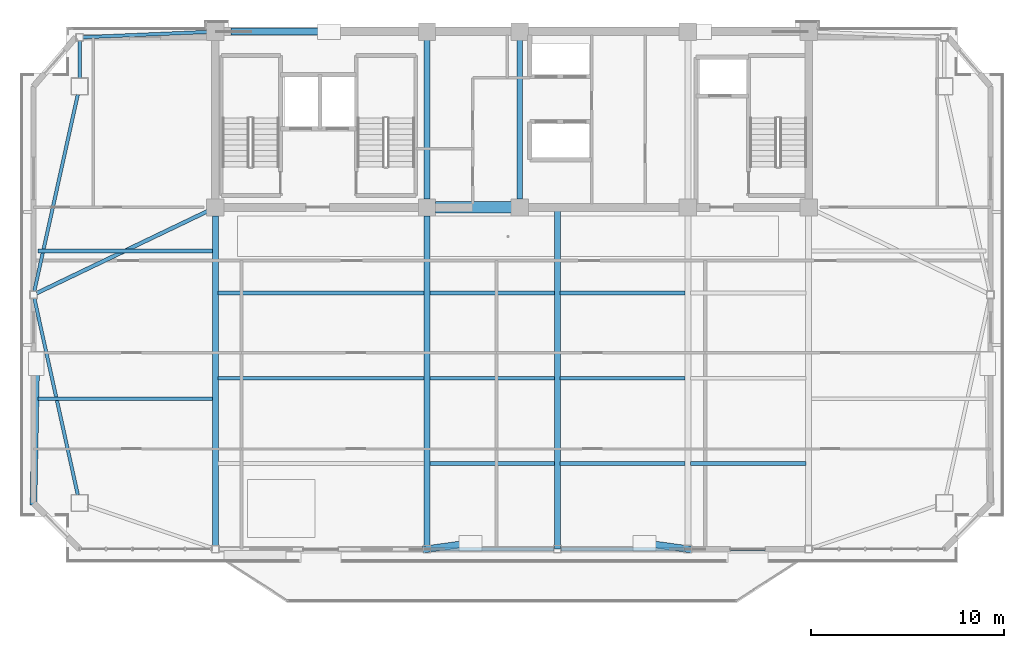
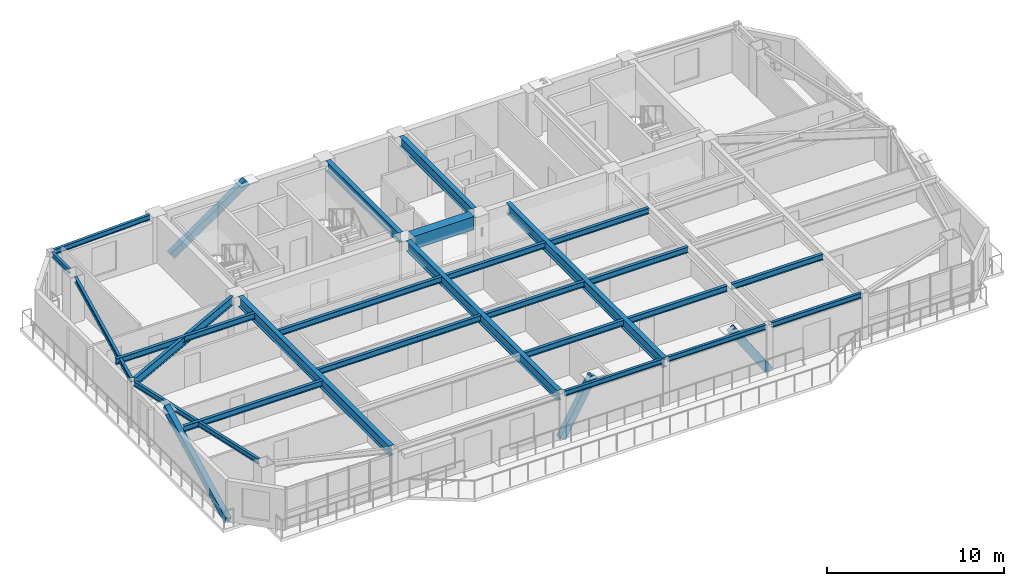
# One storey, part 3 of 13: 25 beams, 4 members.
"""IFC4 building model written with IfcOpenShell, lengths in metres."""

from ifc_helpers import new_model, si_unit, direction, frame, origin, origin_2d, place, context, subcontext, project, spatial, rectangle, hollow_rectangle, i_section, extrude, source, transform, mapped, material, material_profile, profile_set, type_object, element, save


model = new_model("IFC4")

# Units and contexts
model_context = context("Model", 3, precision=1e-05, world=origin(), true_north=direction((0.0, 1.0)))
body_context = subcontext(model_context, "Body", "Model", "MODEL_VIEW")
ifc_project = project(units=[si_unit("LENGTHUNIT", "METRE"), si_unit("AREAUNIT", "SQUARE_METRE"), si_unit("VOLUMEUNIT", "CUBIC_METRE"), si_unit("PLANEANGLEUNIT", "RADIAN"), si_unit("MASSUNIT", "GRAM", prefix="KILO")], contexts=[model_context])

# Site, building, storey
site_placement = place(None, origin())
site = spatial("IfcSite", under=ifc_project, at=site_placement, CompositionType="ELEMENT")
building_placement = place(site_placement, origin())
building = spatial("IfcBuilding", under=site, at=building_placement, Name="Giltprow Tower", CompositionType="ELEMENT")
storey_placement = place(building_placement, frame((0.0, 0.0, 304.0)))
storey = spatial("IfcBuildingStorey", under=building, at=storey_placement, Name="L78", CompositionType="ELEMENT", Elevation=304.0)

# Beams
ifc_material_1 = material(Name="Structural steel Q355B", Category="steel")
ifc_material_profile_1 = material_profile(ifc_material_1, i_section(OverallWidth=0.199951171875, OverallDepth=0.39990234375, WebThickness=0.008056640625, FlangeThickness=0.012939453125, at=origin_2d()), Name="HN 400x200x8x13")
ifc_profile_set_1 = profile_set([ifc_material_profile_1], Name="Structural steel Q355B")
beam_type_1 = type_object("IfcBeamType", Name="BM-JOIST-HN400", PredefinedType="JOIST", material=ifc_profile_set_1)
shared_shape_1 = source(origin(), body_context, "Body", "SweptSolid", [
    extrude(i_section(OverallWidth=0.199951171875, OverallDepth=0.39990234375, WebThickness=0.008056640625, FlangeThickness=0.012939453125, at=origin_2d()), origin(), (0.0, 0.0, 1.0), 10.659912109375),
])
for number, where, z_axis, x_axis, name in (
    (1, (19.9951171875, 28.611083984375, 2.985107421875), (1.0, 0.0, 0.0), (0.0, 1.0, 0.0), "L78 Composite Floor Joist 2-1"),
    (2, (19.9951171875, 33.031005859375, 2.985107421875), (1.0, 0.0, 0.0), (0.0, 1.0, 0.0), "L78 Composite Floor Joist 3-1"),
):
    element("IfcBeam", number, at=place(storey_placement, frame(where, z_axis=z_axis, x_axis=x_axis)), inside=storey, type_object=beam_type_1, Name=name, PredefinedType="JOIST", context=body_context, shape_type="MappedRepresentation", body=[
        mapped(shared_shape_1, transform((0.0, 0.0, 0.0), x_axis=(1.0, 0.0, 0.0), y_axis=(0.0, 1.0, 0.0), z_axis=(0.0, 0.0, 1.0), scale=1.0)),
    ])
shared_shape_2 = source(origin(), body_context, "Body", "SweptSolid", [
    extrude(i_section(OverallWidth=0.199951171875, OverallDepth=0.39990234375, WebThickness=0.008056640625, FlangeThickness=0.012939453125, at=origin_2d()), origin(), (0.0, 0.0, 1.0), 6.4599609375),
])
for number, where, z_axis, x_axis, name in (
    (3, (30.945068359375, 24.19091796875, 2.985107421875), (1.0, 0.0, 0.0), (0.0, 1.0, 0.0), "L78 Composite Floor Joist 1-2"),
    (4, (37.695068359375, 24.19091796875, 2.985107421875), (1.0, 0.0, 0.0), (0.0, 1.0, 0.0), "L78 Composite Floor Joist 1-3"),
    (5, (30.945068359375, 28.611083984375, 2.985107421875), (1.0, 0.0, 0.0), (0.0, 1.0, 0.0), "L78 Composite Floor Joist 2-2"),
    (6, (37.695068359375, 28.611083984375, 2.985107421875), (1.0, 0.0, 0.0), (0.0, 1.0, 0.0), "L78 Composite Floor Joist 2-3"),
    (7, (30.945068359375, 33.031005859375, 2.985107421875), (1.0, 0.0, 0.0), (0.0, 1.0, 0.0), "L78 Composite Floor Joist 3-2"),
    (8, (37.695068359375, 33.031005859375, 2.985107421875), (1.0, 0.0, 0.0), (0.0, 1.0, 0.0), "L78 Composite Floor Joist 3-3"),
):
    element("IfcBeam", number, at=place(storey_placement, frame(where, z_axis=z_axis, x_axis=x_axis)), inside=storey, type_object=beam_type_1, Name=name, PredefinedType="JOIST", context=body_context, shape_type="MappedRepresentation", body=[
        mapped(shared_shape_2, transform((0.0, 0.0, 0.0), x_axis=(1.0, 0.0, 0.0), y_axis=(0.0, 1.0, 0.0), z_axis=(0.0, 0.0, 1.0), scale=1.0)),
    ])
shared_shape_3 = source(origin(), body_context, "Body", "SweptSolid", [
    extrude(i_section(OverallWidth=0.199951171875, OverallDepth=0.39990234375, WebThickness=0.008056640625, FlangeThickness=0.012939453125, at=origin_2d()), origin(), (0.0, 0.0, 1.0), 5.9599609375),
])
beam_1_placement = place(storey_placement, frame((44.445068359375, 24.19091796875, 2.985107421875), z_axis=(1.0, 0.0, 0.0), x_axis=(0.0, 1.0, 0.0)))
element("IfcBeam", 9, at=beam_1_placement, inside=storey, type_object=beam_type_1, Name="L78 Composite Floor Joist 1-4", PredefinedType="JOIST", context=body_context, shape_type="MappedRepresentation", body=[
    mapped(shared_shape_3, transform((0.0, 0.0, 0.0), x_axis=(1.0, 0.0, 0.0), y_axis=(0.0, 1.0, 0.0), z_axis=(0.0, 0.0, 1.0), scale=1.0)),
])
ifc_material_2 = material(Name="Concrete C50", Category="concrete")
ifc_material_profile_2 = material_profile(ifc_material_2, rectangle(XDim=0.60009765625, YDim=0.89990234375, at=origin_2d()), Name="RC 900x600")
ifc_profile_set_2 = profile_set([ifc_material_profile_2], Name="Concrete C50")
beam_type_2 = type_object("IfcBeamType", Name="BM-CPL-RC900", PredefinedType="LINTEL", material=ifc_profile_set_2)
shared_shape_4 = source(origin(), body_context, "Body", "SweptSolid", [
    extrude(rectangle(XDim=0.60009765625, YDim=0.89990234375, at=origin_2d()), origin(), (0.0, 0.0, 1.0), 3.929931640625),
])
beam_2_placement = place(storey_placement, frame((31.235107421875, 37.449951171875, 2.735107421875), z_axis=(1.0, 0.0, 0.0), x_axis=(0.0, 1.0, 0.0)))
element("IfcBeam", 10, at=beam_2_placement, inside=storey, type_object=beam_type_2, Name="L78 Core Coupling Beam CB-1", PredefinedType="LINTEL", context=body_context, shape_type="MappedRepresentation", body=[
    mapped(shared_shape_4, transform((0.0, 0.0, 0.0), x_axis=(1.0, 0.0, 0.0), y_axis=(0.0, 1.0, 0.0), z_axis=(0.0, 0.0, 1.0), scale=1.0)),
])
ifc_material_profile_3 = material_profile(ifc_material_1, i_section(OverallWidth=0.300048828125, OverallDepth=0.699951171875, WebThickness=0.012939453125, FlangeThickness=0.02392578125, at=origin_2d()), Name="HN 700x300x13x24")
ifc_profile_set_3 = profile_set([ifc_material_profile_3], Name="Structural steel Q355B")
beam_type_3 = type_object("IfcBeamType", Name="BM-GIRD-HN700", PredefinedType="BEAM", material=ifc_profile_set_3)
shared_shape_5 = source(origin(), body_context, "Body", "SweptSolid", [
    extrude(i_section(OverallWidth=0.300048828125, OverallDepth=0.699951171875, WebThickness=0.012939453125, FlangeThickness=0.02392578125, at=origin_2d()), origin(), (0.0, 0.0, 1.0), 8.22998046875),
])
for number, where, z_axis, x_axis, name in (
    (11, (30.800048828125, 37.885009765625, 2.8349609375), (0.0, 1.0, 0.0), (-1.0, 0.0, 0.0), "L78 Core Tie Girder M1"),
    (12, (35.60009765625, 37.885009765625, 2.8349609375), (0.0, 1.0, 0.0), (-1.0, 0.0, 0.0), "L78 Core Tie Girder M2"),
):
    element("IfcBeam", number, at=place(storey_placement, frame(where, z_axis=z_axis, x_axis=x_axis)), inside=storey, type_object=beam_type_3, Name=name, PredefinedType="BEAM", context=body_context, shape_type="MappedRepresentation", body=[
        mapped(shared_shape_5, transform((0.0, 0.0, 0.0), x_axis=(1.0, 0.0, 0.0), y_axis=(0.0, 1.0, 0.0), z_axis=(0.0, 0.0, 1.0), scale=1.0)),
    ])
shared_shape_6 = source(origin(), body_context, "Body", "SweptSolid", [
    extrude(i_section(OverallWidth=0.300048828125, OverallDepth=0.699951171875, WebThickness=0.012939453125, FlangeThickness=0.02392578125, at=origin_2d()), origin(), (0.0, 0.0, 1.0), 17.677978515625),
])
beam_3_placement = place(storey_placement, frame((37.550048828125, 19.77197265625, 2.8349609375), z_axis=(0.0, 1.0, 0.0), x_axis=(-1.0, 0.0, 0.0)))
element("IfcBeam", 13, at=beam_3_placement, inside=storey, type_object=beam_type_3, Name="L78 Central Lease Girder SMID", PredefinedType="BEAM", context=body_context, shape_type="MappedRepresentation", body=[
    mapped(shared_shape_6, transform((0.0, 0.0, 0.0), x_axis=(1.0, 0.0, 0.0), y_axis=(0.0, 1.0, 0.0), z_axis=(0.0, 0.0, 1.0), scale=1.0)),
])
shared_shape_7 = source(origin(), body_context, "Body", "SweptSolid", [
    extrude(i_section(OverallWidth=0.199951171875, OverallDepth=0.39990234375, WebThickness=0.008056640625, FlangeThickness=0.012939453125, at=origin_2d()), origin(), (0.0, 0.0, 1.0), 9.045166015625),
])
for number, where, z_axis, x_axis, name in (
    (14, (10.659912109375, 27.547119140625, 2.985107421875), (1.0, 0.0, 0.0), (0.0, 1.0, 0.0), "L78 West Wing Floor Joist 1"),
    (15, (10.659912109375, 35.193115234375, 2.985107421875), (1.0, 0.0, 0.0), (0.0, 1.0, 0.0), "L78 West Wing Floor Joist 2"),
):
    element("IfcBeam", number, at=place(storey_placement, frame(where, z_axis=z_axis, x_axis=x_axis)), inside=storey, type_object=beam_type_1, Name=name, PredefinedType="JOIST", context=body_context, shape_type="MappedRepresentation", body=[
        mapped(shared_shape_7, transform((0.0, 0.0, 0.0), x_axis=(1.0, 0.0, 0.0), y_axis=(0.0, 1.0, 0.0), z_axis=(0.0, 0.0, 1.0), scale=1.0)),
    ])
ifc_material_profile_4 = material_profile(ifc_material_1, i_section(OverallWidth=0.175048828125, OverallDepth=0.35009765625, WebThickness=0.007080078125, FlangeThickness=0.010986328125, at=origin_2d()), Name="HN 350x175x7x11")
ifc_profile_set_4 = profile_set([ifc_material_profile_4], Name="Structural steel Q355B")
beam_type_4 = type_object("IfcBeamType", Name="BM-SPAN-HN350", PredefinedType="SPANDREL", material=ifc_profile_set_4)
shared_shape_8 = source(origin(), body_context, "Body", "SweptSolid", [
    extrude(i_section(OverallWidth=0.175048828125, OverallDepth=0.35009765625, WebThickness=0.007080078125, FlangeThickness=0.010986328125, at=origin_2d()), origin(), (0.0, 0.0, 1.0), 6.3798828125),
])
for number, where, z_axis, x_axis, name in (
    (16, (30.985107421875, 19.77197265625, 3.010009765625), (1.0, 0.0, 0.0), (0.0, 1.0, 0.0), "L78 Perimeter Spandrel Beam S2-S_MID"),
    (17, (37.735107421875, 19.77197265625, 3.010009765625), (1.0, 0.0, 0.0), (0.0, 1.0, 0.0), "L78 Perimeter Spandrel Beam S_MID-S3"),
):
    element("IfcBeam", number, at=place(storey_placement, frame(where, z_axis=z_axis, x_axis=x_axis)), inside=storey, type_object=beam_type_4, Name=name, PredefinedType="SPANDREL", context=body_context, shape_type="MappedRepresentation", body=[
        mapped(shared_shape_8, transform((0.0, 0.0, 0.0), x_axis=(1.0, 0.0, 0.0), y_axis=(0.0, 1.0, 0.0), z_axis=(0.0, 0.0, 1.0), scale=1.0)),
    ])
shared_shape_9 = source(origin(), body_context, "Body", "SweptSolid", [
    extrude(i_section(OverallWidth=0.175048828125, OverallDepth=0.35009765625, WebThickness=0.007080078125, FlangeThickness=0.010986328125, at=origin_2d()), origin(), (0.0, 0.0, 1.0), 5.8798828125),
])
beam_4_placement = place(storey_placement, frame((44.485107421875, 19.77197265625, 3.010009765625), z_axis=(1.0, 0.0, 0.0), x_axis=(0.0, 1.0, 0.0)))
element("IfcBeam", 18, at=beam_4_placement, inside=storey, type_object=beam_type_4, Name="L78 Perimeter Spandrel Beam S3-S4", PredefinedType="SPANDREL", context=body_context, shape_type="MappedRepresentation", body=[
    mapped(shared_shape_9, transform((0.0, 0.0, 0.0), x_axis=(1.0, 0.0, 0.0), y_axis=(0.0, 1.0, 0.0), z_axis=(0.0, 0.0, 1.0), scale=1.0)),
])
shared_shape_10 = source(origin(), body_context, "Body", "SweptSolid", [
    extrude(i_section(OverallWidth=0.175048828125, OverallDepth=0.35009765625, WebThickness=0.007080078125, FlangeThickness=0.010986328125, at=origin_2d()), origin(), (0.0, 0.0, 1.0), 10.4189453125),
])
beam_5_placement = place(storey_placement, frame((10.47998046875, 32.7548828125, 3.010009765625), z_axis=(0.216047103841, -0.976382941741, 0.0), x_axis=(0.976382941741, 0.216047103841, 0.0)))
element("IfcBeam", 19, at=beam_5_placement, inside=storey, type_object=beam_type_4, Name="L78 Perimeter Spandrel Beam W_MID-MC_SW", PredefinedType="SPANDREL", context=body_context, shape_type="MappedRepresentation", body=[
    mapped(shared_shape_10, transform((0.0, 0.0, 0.0), x_axis=(1.0, 0.0, 0.0), y_axis=(0.0, 1.0, 0.0), z_axis=(0.0, 0.0, 1.0), scale=1.0)),
])
shared_shape_11 = source(origin(), body_context, "Body", "SweptSolid", [
    extrude(i_section(OverallWidth=0.175048828125, OverallDepth=0.35009765625, WebThickness=0.007080078125, FlangeThickness=0.010986328125, at=origin_2d()), origin(), (0.0, 0.0, 1.0), 10.419189453125),
])
beam_6_placement = place(storey_placement, frame((12.73095703125, 43.2900390625, 3.010009765625), z_axis=(-0.216042161002, -0.976384035444, 0.0), x_axis=(0.976384035444, -0.216042161002, 0.0)))
element("IfcBeam", 20, at=beam_6_placement, inside=storey, type_object=beam_type_4, Name="L78 Perimeter Spandrel Beam MC_NW-W_MID", PredefinedType="SPANDREL", context=body_context, shape_type="MappedRepresentation", body=[
    mapped(shared_shape_11, transform((0.0, 0.0, 0.0), x_axis=(1.0, 0.0, 0.0), y_axis=(0.0, 1.0, 0.0), z_axis=(0.0, 0.0, 1.0), scale=1.0)),
])
shared_shape_12 = source(origin(), body_context, "Body", "SweptSolid", [
    extrude(i_section(OverallWidth=0.175048828125, OverallDepth=0.35009765625, WebThickness=0.007080078125, FlangeThickness=0.010986328125, at=origin_2d()), origin(), (0.0, 0.0, 1.0), 1.9150390625),
])
beam_7_placement = place(storey_placement, frame((12.824951171875, 46.06494140625, 3.010009765625), z_axis=(0.0, -1.0, 0.0), x_axis=(1.0, 0.0, 0.0)))
element("IfcBeam", 21, at=beam_7_placement, inside=storey, type_object=beam_type_4, Name="L78 Perimeter Spandrel Beam N_W-MC_NW", PredefinedType="SPANDREL", context=body_context, shape_type="MappedRepresentation", body=[
    mapped(shared_shape_12, transform((0.0, 0.0, 0.0), x_axis=(1.0, 0.0, 0.0), y_axis=(0.0, 1.0, 0.0), z_axis=(0.0, 0.0, 1.0), scale=1.0)),
])
shared_shape_13 = source(origin(), body_context, "Body", "SweptSolid", [
    extrude(i_section(OverallWidth=0.175048828125, OverallDepth=0.35009765625, WebThickness=0.007080078125, FlangeThickness=0.010986328125, at=origin_2d()), origin(), (0.0, 0.0, 1.0), 6.410888671875),
])
beam_8_placement = place(storey_placement, frame((13.010009765625, 46.258056640625, 3.010009765625), z_axis=(0.999093223097, 0.042576185379, 0.0), x_axis=(-0.042576185379, 0.999093223097, 0.0)))
element("IfcBeam", 22, at=beam_8_placement, inside=storey, type_object=beam_type_4, Name="L78 North Wing Spandrel W", PredefinedType="SPANDREL", context=body_context, shape_type="MappedRepresentation", body=[
    mapped(shared_shape_13, transform((0.0, 0.0, 0.0), x_axis=(1.0, 0.0, 0.0), y_axis=(0.0, 1.0, 0.0), z_axis=(0.0, 0.0, 1.0), scale=1.0)),
])
shared_shape_14 = source(origin(), body_context, "Body", "SweptSolid", [
    extrude(i_section(OverallWidth=0.300048828125, OverallDepth=0.699951171875, WebThickness=0.012939453125, FlangeThickness=0.02392578125, at=origin_2d()), origin(), (0.0, 0.0, 1.0), 17.057861328125),
])
for number, where, z_axis, x_axis, name in (
    (23, (19.85009765625, 19.95703125, 2.8349609375), (0.0, 1.0, 0.0), (-1.0, 0.0, 0.0), "L78 Primary Lease Girder S1"),
    (24, (30.800048828125, 19.95703125, 2.8349609375), (0.0, 1.0, 0.0), (-1.0, 0.0, 0.0), "L78 Primary Lease Girder S2"),
):
    element("IfcBeam", number, at=place(storey_placement, frame(where, z_axis=z_axis, x_axis=x_axis)), inside=storey, type_object=beam_type_3, Name=name, PredefinedType="BEAM", context=body_context, shape_type="MappedRepresentation", body=[
        mapped(shared_shape_14, transform((0.0, 0.0, 0.0), x_axis=(1.0, 0.0, 0.0), y_axis=(0.0, 1.0, 0.0), z_axis=(0.0, 0.0, 1.0), scale=1.0)),
    ])
ifc_material_profile_5 = material_profile(ifc_material_1, i_section(OverallWidth=0.199951171875, OverallDepth=0.60009765625, WebThickness=0.010986328125, FlangeThickness=0.01708984375, at=origin_2d()), Name="HN 600x200x11x17")
ifc_profile_set_5 = profile_set([ifc_material_profile_5], Name="Structural steel Q355B")
beam_type_5 = type_object("IfcBeamType", Name="BM-GIRD-HN600", PredefinedType="BEAM", material=ifc_profile_set_5)
shared_shape_15 = source(origin(), body_context, "Body", "SweptSolid", [
    extrude(i_section(OverallWidth=0.199951171875, OverallDepth=0.60009765625, WebThickness=0.010986328125, FlangeThickness=0.01708984375, at=origin_2d()), origin(), (0.0, 0.0, 1.0), 9.816650390625),
])
beam_9_placement = place(storey_placement, frame((10.60693359375, 33.01611328125, 2.885009765625), z_axis=(0.901628977648, 0.432510331281, 0.0), x_axis=(-0.432510331281, 0.901628977648, 0.0)))
element("IfcBeam", 25, at=beam_9_placement, inside=storey, type_object=beam_type_5, Name="L78 West Wing Primary Girder", PredefinedType="BEAM", context=body_context, shape_type="MappedRepresentation", body=[
    mapped(shared_shape_15, transform((0.0, 0.0, 0.0), x_axis=(1.0, 0.0, 0.0), y_axis=(0.0, 1.0, 0.0), z_axis=(0.0, 0.0, 1.0), scale=1.0)),
])

# Members
ifc_material_3 = material(Name="Structural steel Q420GJC", Category="steel")
ifc_material_profile_6 = material_profile(ifc_material_3, hollow_rectangle(XDim=0.35009765625, YDim=0.5, WallThickness=0.02392578125, at=origin_2d()), Name="RHS 500x350x24")
ifc_profile_set_6 = profile_set([ifc_material_profile_6], Name="Structural steel Q420GJC")
member_type = type_object("IfcMemberType", Name="MBR-MEGA-RHS500", PredefinedType="BRACE", material=ifc_profile_set_6)
shared_shape_16 = source(origin(), body_context, "Body", "SweptSolid", [
    extrude(hollow_rectangle(XDim=0.35009765625, YDim=0.5, WallThickness=0.02392578125, at=origin_2d()), origin(), (0.0, 0.0, 1.0), 4.0888671875),
])
for number, where, z_axis, x_axis, name in (
    (26, (30.800048828125, 19.77197265625, 0.0), (0.550278873645, 0.076069366865, 0.831508636543), (-0.136935639325, 0.990579946639, 0.0), "L78 Chevron Mega-Brace S-L"),
    (27, (44.300048828125, 19.77197265625, 0.0), (-0.550278873645, 0.076069366865, 0.831508636543), (-0.136935639325, -0.990579946639, 0.0), "L78 Chevron Mega-Brace S-R"),
):
    element("IfcMember", number, at=place(storey_placement, frame(where, z_axis=z_axis, x_axis=x_axis)), inside=storey, type_object=member_type, Name=name, PredefinedType="BRACE", context=body_context, shape_type="MappedRepresentation", body=[
        mapped(shared_shape_16, transform((0.0, 0.0, 0.0), x_axis=(1.0, 0.0, 0.0), y_axis=(0.0, 1.0, 0.0), z_axis=(0.0, 0.0, 1.0), scale=1.0)),
    ])
shared_shape_17 = source(origin(), body_context, "Body", "SweptSolid", [
    extrude(hollow_rectangle(XDim=0.35009765625, YDim=0.5, WallThickness=0.02392578125, at=origin_2d()), origin(), (0.0, 0.0, 1.0), 5.990966796875),
])
member_1_placement = place(storey_placement, frame((20.800048828125, 46.550048828125, -0.139892578125), z_axis=(0.823374311816, 0.0, 0.56749867193), x_axis=(0.0, 1.0, 0.0)))
element("IfcMember", 28, at=member_1_placement, inside=storey, type_object=member_type, Name="L78 Chevron Mega-Brace N-L", PredefinedType="BRACE", context=body_context, shape_type="MappedRepresentation", body=[
    mapped(shared_shape_17, transform((0.0, 0.0, 0.0), x_axis=(1.0, 0.0, 0.0), y_axis=(0.0, 1.0, 0.0), z_axis=(0.0, 0.0, 1.0), scale=1.0)),
])
shared_shape_18 = source(origin(), body_context, "Body", "SweptSolid", [
    extrude(hollow_rectangle(XDim=0.35009765625, YDim=0.5, WallThickness=0.02392578125, at=origin_2d()), origin(), (0.0, 0.0, 1.0), 7.96533203125),
])
member_2_placement = place(storey_placement, frame((10.43994140625, 22.156982421875, 0.0), z_axis=(0.017317575888, 0.90416136483, 0.426839932426), x_axis=(-0.999816628075, 0.019149679476, 0.0)))
element("IfcMember", 29, at=member_2_placement, inside=storey, type_object=member_type, Name="L78 Chevron Mega-Brace W-D", PredefinedType="BRACE", context=body_context, shape_type="MappedRepresentation", body=[
    mapped(shared_shape_18, transform((0.0, 0.0, 0.0), x_axis=(1.0, 0.0, 0.0), y_axis=(0.0, 1.0, 0.0), z_axis=(0.0, 0.0, 1.0), scale=1.0)),
])

save(model, "model.ifc")
